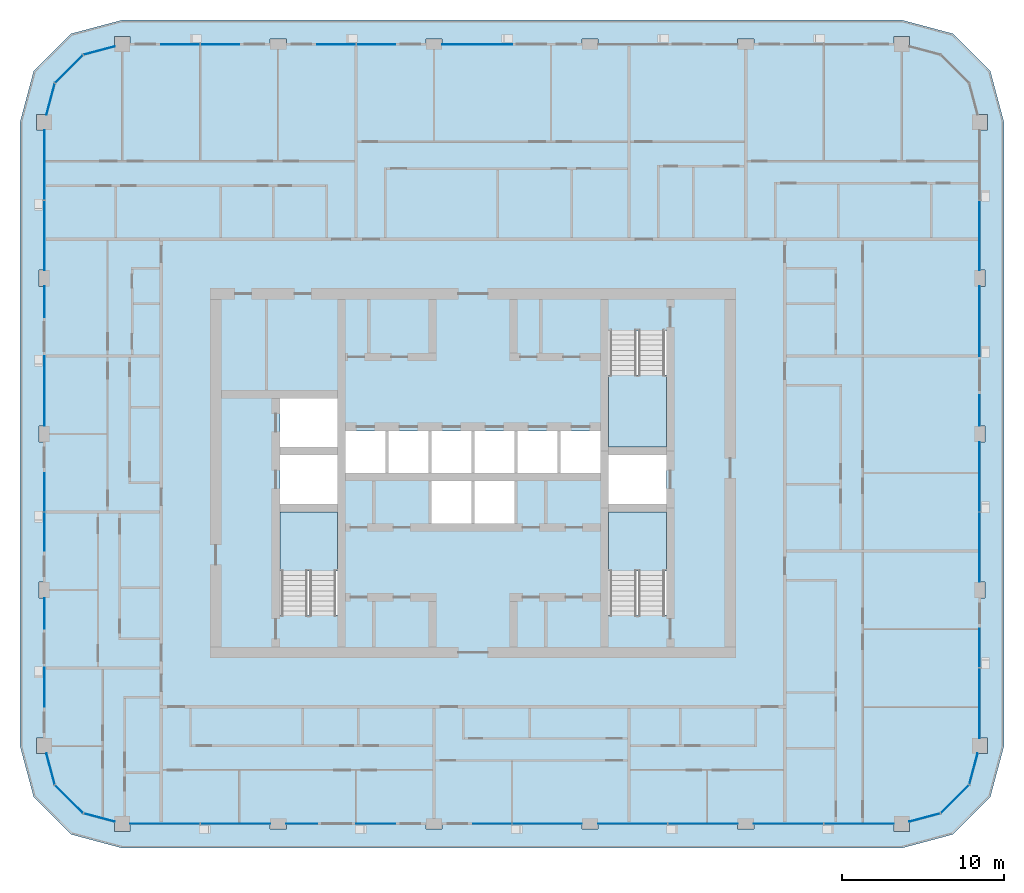
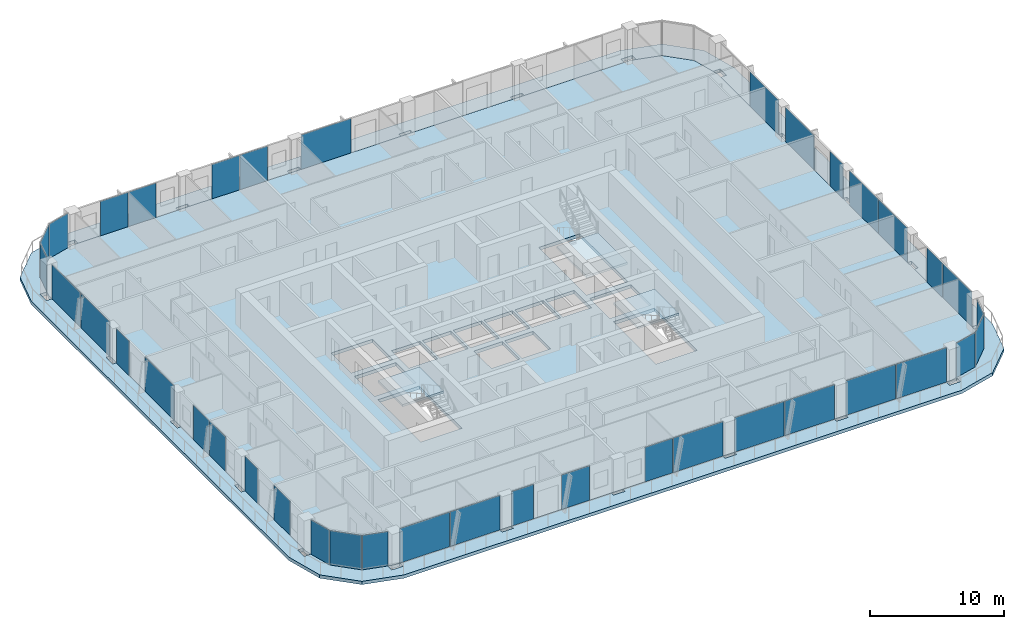
# One storey, part 7 of 23: 39 plates, 5 slabs, 22 elements without a shape of their own.
"""IFC4 building model written with IfcOpenShell, lengths in metres."""

from ifc_helpers import new_model, si_unit, direction, frame, origin, origin_2d, place, context, subcontext, project, spatial, polyline, rectangle, outline, extrude, material, layer, layer_set, type_object, element, aggregate, save


model = new_model("IFC4")

# Units and contexts
model_context = context("Model", 3, precision=1e-05, world=origin(), true_north=direction((0.0, 1.0)))
body_context = subcontext(model_context, "Body", "Model", "MODEL_VIEW")
ifc_project = project(units=[si_unit("LENGTHUNIT", "METRE"), si_unit("AREAUNIT", "SQUARE_METRE"), si_unit("VOLUMEUNIT", "CUBIC_METRE"), si_unit("PLANEANGLEUNIT", "RADIAN"), si_unit("MASSUNIT", "GRAM", prefix="KILO")], contexts=[model_context])

# Site, building, storey
site_placement = place(None, origin())
site = spatial("IfcSite", under=ifc_project, at=site_placement, CompositionType="ELEMENT")
building_placement = place(site_placement, origin())
building = spatial("IfcBuilding", under=site, at=building_placement, Name="Madar Terraces", CompositionType="ELEMENT")
storey_placement = place(building_placement, frame((0.0, 0.0, 212.300048828125)))
storey = spatial("IfcBuildingStorey", under=building, at=storey_placement, Name="L55", CompositionType="ELEMENT", Elevation=212.300048828125)

# Slabs
ifc_material_1 = material(Name="Concrete C50/60", Category="concrete")
ifc_layer_1 = layer(ifc_material_1, 0.300048828125)
ifc_layer_set_1 = layer_set([ifc_layer_1], Name="Balcony band 300")
slab_type_1 = type_object("IfcSlabType", Name="Balcony band 300", PredefinedType="FLOOR", material=ifc_layer_set_1)
slab_1_placement = place(storey_placement, frame((0.0, 0.0, -0.300048828125)))
element("IfcSlab", 1, at=slab_1_placement, inside=storey, type_object=slab_type_1, Name="Balcony band", PredefinedType="FLOOR", context=body_context, shape_type="SweptSolid", body=[
    extrude(outline(polyline([(9.60009765625, 3.300048828125), (6.449951171875, 4.14404296875), (4.14404296875, 6.449951171875), (3.300048828125, 9.60009765625), (3.300048828125, 48.0), (4.14404296875, 51.14990234375), (6.449951171875, 53.4560546875), (9.60009765625, 54.300048828125), (57.60009765625, 54.300048828125), (60.75, 53.4560546875), (63.055908203125, 51.14990234375), (63.89990234375, 48.0), (63.89990234375, 9.60009765625), (63.055908203125, 6.449951171875), (60.75, 4.14404296875), (57.60009765625, 3.300048828125), (9.60009765625, 3.300048828125)]), holes=[polyline([(10.074951171875, 4.324951171875), (10.074951171875, 4.800048828125), (18.699951171875, 4.800048828125), (18.699951171875, 4.47509765625), (19.699951171875, 4.47509765625), (19.699951171875, 4.800048828125), (28.300048828125, 4.800048828125), (28.300048828125, 4.47509765625), (29.300048828125, 4.47509765625), (29.300048828125, 4.800048828125), (37.89990234375, 4.800048828125), (37.89990234375, 4.47509765625), (38.89990234375, 4.47509765625), (38.89990234375, 4.800048828125), (47.5, 4.800048828125), (47.5, 4.47509765625), (48.5, 4.47509765625), (48.5, 4.800048828125), (57.125, 4.800048828125), (57.125, 4.324951171875), (58.074951171875, 4.324951171875), (58.074951171875, 4.92724609375), (60.0, 5.443115234375), (61.7568359375, 7.199951171875), (62.272705078125, 9.125), (62.875, 9.125), (62.875, 10.074951171875), (62.39990234375, 10.074951171875), (62.39990234375, 18.699951171875), (62.72509765625, 18.699951171875), (62.72509765625, 19.699951171875), (62.39990234375, 19.699951171875), (62.39990234375, 28.300048828125), (62.72509765625, 28.300048828125), (62.72509765625, 29.300048828125), (62.39990234375, 29.300048828125), (62.39990234375, 37.89990234375), (62.72509765625, 37.89990234375), (62.72509765625, 38.89990234375), (62.39990234375, 38.89990234375), (62.39990234375, 47.52490234375), (62.875, 47.52490234375), (62.875, 48.47509765625), (62.272705078125, 48.47509765625), (61.7568359375, 50.39990234375), (60.0, 52.156982421875), (58.074951171875, 52.672607421875), (58.074951171875, 53.27490234375), (57.125, 53.27490234375), (57.125, 52.800048828125), (48.5, 52.800048828125), (48.5, 53.125), (47.5, 53.125), (47.5, 52.800048828125), (38.89990234375, 52.800048828125), (38.89990234375, 53.125), (37.89990234375, 53.125), (37.89990234375, 52.800048828125), (29.300048828125, 52.800048828125), (29.300048828125, 53.125), (28.300048828125, 53.125), (28.300048828125, 52.800048828125), (19.699951171875, 52.800048828125), (19.699951171875, 53.125), (18.699951171875, 53.125), (18.699951171875, 52.800048828125), (10.074951171875, 52.800048828125), (10.074951171875, 53.27490234375), (9.125, 53.27490234375), (9.125, 52.672607421875), (7.199951171875, 52.156982421875), (5.443115234375, 50.39990234375), (4.92724609375, 48.47509765625), (4.324951171875, 48.47509765625), (4.324951171875, 47.52490234375), (4.800048828125, 47.52490234375), (4.800048828125, 38.89990234375), (4.47509765625, 38.89990234375), (4.47509765625, 37.89990234375), (4.800048828125, 37.89990234375), (4.800048828125, 29.300048828125), (4.47509765625, 29.300048828125), (4.47509765625, 28.300048828125), (4.800048828125, 28.300048828125), (4.800048828125, 19.699951171875), (4.47509765625, 19.699951171875), (4.47509765625, 18.699951171875), (4.800048828125, 18.699951171875), (4.800048828125, 10.074951171875), (4.324951171875, 10.074951171875), (4.324951171875, 9.125), (4.92724609375, 9.125), (5.443115234375, 7.199951171875), (7.199951171875, 5.443115234375), (9.125, 4.92724609375), (9.125, 4.324951171875), (10.074951171875, 4.324951171875)])]), origin(), (0.0, 0.0, 1.0), 0.300048828125),
])
ifc_material_2 = material(Name="Concrete C50/60", Category="concrete")
ifc_layer_2 = layer(ifc_material_2, 0.300048828125)
ifc_layer_set_2 = layer_set([ifc_layer_2], Name="FS2 PT flat slab 300")
slab_type_2 = type_object("IfcSlabType", Name="FS2 PT flat slab 300", PredefinedType="FLOOR", material=ifc_layer_set_2)
slab_2_placement = place(storey_placement, frame((0.0, 0.0, -0.300048828125)))
element("IfcSlab", 2, at=slab_2_placement, inside=storey, type_object=slab_type_2, Name="Floor slab L55 (1)", PredefinedType="FLOOR", context=body_context, shape_type="SweptSolid", body=[
    extrude(outline(polyline([(57.60009765625, 4.800048828125), (60.0, 5.443115234375), (61.7568359375, 7.199951171875), (62.39990234375, 9.60009765625), (62.39990234375, 48.0), (61.7568359375, 50.39990234375), (60.0, 52.156982421875), (57.60009765625, 52.800048828125), (9.60009765625, 52.800048828125), (7.199951171875, 52.156982421875), (5.443115234375, 50.39990234375), (4.800048828125, 48.0), (4.800048828125, 9.60009765625), (5.443115234375, 7.199951171875), (7.199951171875, 5.443115234375), (9.60009765625, 4.800048828125), (57.60009765625, 4.800048828125)]), holes=[polyline([(22.85009765625, 17.64990234375), (19.300048828125, 17.64990234375), (19.300048828125, 24.0), (22.85009765625, 24.0), (22.85009765625, 17.64990234375)]), polyline([(28.64990234375, 23.300048828125), (28.64990234375, 25.89990234375), (31.10009765625, 25.89990234375), (31.10009765625, 23.300048828125), (28.64990234375, 23.300048828125)]), polyline([(19.300048828125, 24.5), (19.300048828125, 27.5), (22.85009765625, 27.5), (22.85009765625, 24.5), (19.300048828125, 24.5)]), polyline([(23.35009765625, 26.39990234375), (23.35009765625, 29.0), (25.800048828125, 29.0), (25.800048828125, 26.39990234375), (23.35009765625, 26.39990234375)]), polyline([(26.0, 26.39990234375), (26.0, 29.0), (28.449951171875, 29.0), (28.449951171875, 26.39990234375), (26.0, 26.39990234375)]), polyline([(28.64990234375, 26.39990234375), (28.64990234375, 29.0), (31.10009765625, 29.0), (31.10009765625, 26.39990234375), (28.64990234375, 26.39990234375)]), polyline([(19.300048828125, 28.0), (19.300048828125, 31.0), (22.85009765625, 31.0), (22.85009765625, 28.0), (19.300048828125, 28.0)]), polyline([(43.10009765625, 17.64990234375), (39.550048828125, 17.64990234375), (39.550048828125, 24.0), (43.10009765625, 24.0), (43.10009765625, 17.64990234375)]), polyline([(31.300048828125, 23.300048828125), (31.300048828125, 25.89990234375), (33.75, 25.89990234375), (33.75, 23.300048828125), (31.300048828125, 23.300048828125)]), polyline([(39.550048828125, 24.5), (39.550048828125, 27.5), (43.10009765625, 27.5), (43.10009765625, 24.5), (39.550048828125, 24.5)]), polyline([(31.300048828125, 26.39990234375), (31.300048828125, 29.0), (33.75, 29.0), (33.75, 26.39990234375), (31.300048828125, 26.39990234375)]), polyline([(33.949951171875, 26.39990234375), (33.949951171875, 29.0), (36.39990234375, 29.0), (36.39990234375, 26.39990234375), (33.949951171875, 26.39990234375)]), polyline([(36.60009765625, 26.39990234375), (36.60009765625, 29.0), (39.050048828125, 29.0), (39.050048828125, 26.39990234375), (36.60009765625, 26.39990234375)]), polyline([(39.550048828125, 28.0), (39.550048828125, 35.14990234375), (43.10009765625, 35.14990234375), (43.10009765625, 28.0), (39.550048828125, 28.0)])]), origin(), (0.0, 0.0, 1.0), 0.300048828125),
])

# Curtain wall, plates
ifc_material_3 = material(Name="Glass, ceramic frit dark grey, with black aluminium frame", Category="aluminium")
ifc_layer_3 = layer(ifc_material_3, 0.199951171875)
ifc_layer_set_3 = layer_set([ifc_layer_3], Name="Facade curtain wall, fritted glass")
curtain_wall_type = type_object("IfcCurtainWallType", Name="Facade curtain wall, fritted glass", PredefinedType="NOTDEFINED", material=ifc_layer_set_3)
curtain_wall_1_placement = place(storey_placement, origin())
curtain_wall_1 = element("IfcCurtainWall", 3, at=curtain_wall_1_placement, inside=storey, type_object=curtain_wall_type, Name="Outer skin curtain wall south bay 1", PredefinedType="NOTDEFINED")
ifc_material_4 = material(Name="Glass, ceramic frit dark grey", Category="glass")
ifc_layer_4 = layer(ifc_material_4, 0.028076171875)
ifc_layer_set_4 = layer_set([ifc_layer_4], Name="Facade glass panel 28")
plate_type = type_object("IfcPlateType", Name="Facade glass panel 28", PredefinedType="CURTAIN_PANEL", material=ifc_layer_set_4)
plate_1_placement = place(storey_placement, frame((12.222412109375, 4.800048828125, 0.0), z_axis=(0.0, 0.0, 1.0), x_axis=(1.0, 0.0, 0.0)))
plate_1 = element("IfcPlate", 4, at=plate_1_placement, type_object=plate_type, Name="Panel 1", PredefinedType="CURTAIN_PANEL", context=body_context, shape_type="SweptSolid", body=[
    extrude(rectangle(XDim=4.294921875, YDim=0.028076171875, at=origin_2d()), origin(), (0.0, 0.0, 1.0), 3.139892578125),
])
plate_2_placement = place(storey_placement, frame((16.56494140625, 4.800048828125, 0.0), z_axis=(0.0, 0.0, 1.0), x_axis=(1.0, 0.0, 0.0)))
plate_2 = element("IfcPlate", 5, at=plate_2_placement, type_object=plate_type, Name="Panel 2", PredefinedType="CURTAIN_PANEL", context=body_context, shape_type="SweptSolid", body=[
    extrude(rectangle(XDim=4.27001953125, YDim=0.028076171875, at=origin_2d()), origin(), (0.0, 0.0, 1.0), 3.139892578125),
])
aggregate(curtain_wall_1, [plate_1, plate_2])

curtain_wall_2_placement = place(storey_placement, origin())
curtain_wall_2 = element("IfcCurtainWall", 6, at=curtain_wall_2_placement, inside=storey, type_object=curtain_wall_type, Name="Outer skin curtain wall south bay 2", PredefinedType="NOTDEFINED")
plate_3_placement = place(storey_placement, frame((20.64990234375, 4.800048828125, 0.0), z_axis=(0.0, 0.0, 1.0), x_axis=(1.0, 0.0, 0.0)))
plate_3 = element("IfcPlate", 7, at=plate_3_placement, type_object=plate_type, Name="Panel 1", PredefinedType="CURTAIN_PANEL", context=body_context, shape_type="SweptSolid", body=[
    extrude(rectangle(XDim=1.89990234375, YDim=0.028076171875, at=origin_2d()), origin(), (0.0, 0.0, 1.0), 3.139892578125),
])
plate_4_placement = place(storey_placement, frame((25.199951171875, 4.800048828125, 0.0), z_axis=(0.0, 0.0, 1.0), x_axis=(1.0, 0.0, 0.0)))
plate_4 = element("IfcPlate", 8, at=plate_4_placement, type_object=plate_type, Name="Panel 2", PredefinedType="CURTAIN_PANEL", context=body_context, shape_type="SweptSolid", body=[
    extrude(rectangle(XDim=2.39990234375, YDim=0.028076171875, at=origin_2d()), origin(), (0.0, 0.0, 1.0), 3.139892578125),
])
aggregate(curtain_wall_2, [plate_3, plate_4])

curtain_wall_3_placement = place(storey_placement, origin())
curtain_wall_3 = element("IfcCurtainWall", 9, at=curtain_wall_3_placement, inside=storey, type_object=curtain_wall_type, Name="Outer skin curtain wall south bay 3", PredefinedType="NOTDEFINED")
plate_5_placement = place(storey_placement, frame((32.385009765625, 4.800048828125, 0.0), z_axis=(0.0, 0.0, 1.0), x_axis=(1.0, 0.0, 0.0)))
plate_5 = element("IfcPlate", 10, at=plate_5_placement, type_object=plate_type, Name="Panel 1", PredefinedType="CURTAIN_PANEL", context=body_context, shape_type="SweptSolid", body=[
    extrude(rectangle(XDim=2.3701171875, YDim=0.028076171875, at=origin_2d()), origin(), (0.0, 0.0, 1.0), 3.139892578125),
])
plate_6_placement = place(storey_placement, frame((35.764892578125, 4.800048828125, 0.0), z_axis=(0.0, 0.0, 1.0), x_axis=(1.0, 0.0, 0.0)))
plate_6 = element("IfcPlate", 11, at=plate_6_placement, type_object=plate_type, Name="Panel 2", PredefinedType="CURTAIN_PANEL", context=body_context, shape_type="SweptSolid", body=[
    extrude(rectangle(XDim=4.27001953125, YDim=0.028076171875, at=origin_2d()), origin(), (0.0, 0.0, 1.0), 3.139892578125),
])
aggregate(curtain_wall_3, [plate_5, plate_6])

curtain_wall_4_placement = place(storey_placement, origin())
curtain_wall_4 = element("IfcCurtainWall", 12, at=curtain_wall_4_placement, inside=storey, type_object=curtain_wall_type, Name="Outer skin curtain wall south bay 4", PredefinedType="NOTDEFINED")
plate_7_placement = place(storey_placement, frame((41.034912109375, 4.800048828125, 0.0), z_axis=(0.0, 0.0, 1.0), x_axis=(1.0, 0.0, 0.0)))
plate_7 = element("IfcPlate", 13, at=plate_7_placement, type_object=plate_type, Name="Panel 1", PredefinedType="CURTAIN_PANEL", context=body_context, shape_type="SweptSolid", body=[
    extrude(rectangle(XDim=4.27001953125, YDim=0.028076171875, at=origin_2d()), origin(), (0.0, 0.0, 1.0), 3.139892578125),
])
plate_8_placement = place(storey_placement, frame((45.364990234375, 4.800048828125, 0.0), z_axis=(0.0, 0.0, 1.0), x_axis=(1.0, 0.0, 0.0)))
plate_8 = element("IfcPlate", 14, at=plate_8_placement, type_object=plate_type, Name="Panel 2", PredefinedType="CURTAIN_PANEL", context=body_context, shape_type="SweptSolid", body=[
    extrude(rectangle(XDim=4.27001953125, YDim=0.028076171875, at=origin_2d()), origin(), (0.0, 0.0, 1.0), 3.139892578125),
])
aggregate(curtain_wall_4, [plate_7, plate_8])

curtain_wall_5_placement = place(storey_placement, origin())
curtain_wall_5 = element("IfcCurtainWall", 15, at=curtain_wall_5_placement, inside=storey, type_object=curtain_wall_type, Name="Outer skin curtain wall south bay 5", PredefinedType="NOTDEFINED")
plate_9_placement = place(storey_placement, frame((50.635009765625, 4.800048828125, 0.0), z_axis=(0.0, 0.0, 1.0), x_axis=(1.0, 0.0, 0.0)))
plate_9 = element("IfcPlate", 16, at=plate_9_placement, type_object=plate_type, Name="Panel 1", PredefinedType="CURTAIN_PANEL", context=body_context, shape_type="SweptSolid", body=[
    extrude(rectangle(XDim=4.27001953125, YDim=0.028076171875, at=origin_2d()), origin(), (0.0, 0.0, 1.0), 3.139892578125),
])
plate_10_placement = place(storey_placement, frame((54.9775390625, 4.800048828125, 0.0), z_axis=(0.0, 0.0, 1.0), x_axis=(1.0, 0.0, 0.0)))
plate_10 = element("IfcPlate", 17, at=plate_10_placement, type_object=plate_type, Name="Panel 2", PredefinedType="CURTAIN_PANEL", context=body_context, shape_type="SweptSolid", body=[
    extrude(rectangle(XDim=4.294921875, YDim=0.028076171875, at=origin_2d()), origin(), (0.0, 0.0, 1.0), 3.139892578125),
])
aggregate(curtain_wall_5, [plate_9, plate_10])

curtain_wall_6_placement = place(storey_placement, origin())
curtain_wall_6 = element("IfcCurtainWall", 18, at=curtain_wall_6_placement, inside=storey, type_object=curtain_wall_type, Name="Outer skin curtain wall east bay 1", PredefinedType="NOTDEFINED")
plate_11_placement = place(storey_placement, frame((62.39990234375, 12.222412109375, 0.0), z_axis=(0.0, 0.0, 1.0), x_axis=(0.0, 1.0, 0.0)))
plate_11 = element("IfcPlate", 19, at=plate_11_placement, type_object=plate_type, Name="Panel 1", PredefinedType="CURTAIN_PANEL", context=body_context, shape_type="SweptSolid", body=[
    extrude(rectangle(XDim=4.294921875, YDim=0.028076171875, at=origin_2d()), origin(), (0.0, 0.0, 1.0), 3.139892578125),
])
plate_12_placement = place(storey_placement, frame((62.39990234375, 15.614990234375, 0.0), z_axis=(0.0, 0.0, 1.0), x_axis=(0.0, 1.0, 0.0)))
plate_12 = element("IfcPlate", 20, at=plate_12_placement, type_object=plate_type, Name="Panel 2", PredefinedType="CURTAIN_PANEL", context=body_context, shape_type="SweptSolid", body=[
    extrude(rectangle(XDim=2.3701171875, YDim=0.028076171875, at=origin_2d()), origin(), (0.0, 0.0, 1.0), 3.139892578125),
])
aggregate(curtain_wall_6, [plate_11, plate_12])

curtain_wall_7_placement = place(storey_placement, origin())
curtain_wall_7 = element("IfcCurtainWall", 21, at=curtain_wall_7_placement, inside=storey, type_object=curtain_wall_type, Name="Outer skin curtain wall east bay 2", PredefinedType="NOTDEFINED")
plate_13_placement = place(storey_placement, frame((62.39990234375, 21.8349609375, 0.0), z_axis=(0.0, 0.0, 1.0), x_axis=(0.0, 1.0, 0.0)))
plate_13 = element("IfcPlate", 22, at=plate_13_placement, type_object=plate_type, Name="Panel 1", PredefinedType="CURTAIN_PANEL", context=body_context, shape_type="SweptSolid", body=[
    extrude(rectangle(XDim=4.27001953125, YDim=0.028076171875, at=origin_2d()), origin(), (0.0, 0.0, 1.0), 3.139892578125),
])
plate_14_placement = place(storey_placement, frame((62.39990234375, 26.1650390625, 0.0), z_axis=(0.0, 0.0, 1.0), x_axis=(0.0, 1.0, 0.0)))
plate_14 = element("IfcPlate", 23, at=plate_14_placement, type_object=plate_type, Name="Panel 2", PredefinedType="CURTAIN_PANEL", context=body_context, shape_type="SweptSolid", body=[
    extrude(rectangle(XDim=4.27001953125, YDim=0.028076171875, at=origin_2d()), origin(), (0.0, 0.0, 1.0), 3.139892578125),
])
aggregate(curtain_wall_7, [plate_13, plate_14])

curtain_wall_8_placement = place(storey_placement, origin())
curtain_wall_8 = element("IfcCurtainWall", 24, at=curtain_wall_8_placement, inside=storey, type_object=curtain_wall_type, Name="Outer skin curtain wall east bay 3", PredefinedType="NOTDEFINED")
plate_15_placement = place(storey_placement, frame((62.39990234375, 30.25, 0.0), z_axis=(0.0, 0.0, 1.0), x_axis=(0.0, 1.0, 0.0)))
plate_15 = element("IfcPlate", 25, at=plate_15_placement, type_object=plate_type, Name="Panel 1", PredefinedType="CURTAIN_PANEL", context=body_context, shape_type="SweptSolid", body=[
    extrude(rectangle(XDim=1.89990234375, YDim=0.028076171875, at=origin_2d()), origin(), (0.0, 0.0, 1.0), 3.139892578125),
])
plate_16_placement = place(storey_placement, frame((62.39990234375, 35.75, 0.0), z_axis=(0.0, 0.0, 1.0), x_axis=(0.0, 1.0, 0.0)))
plate_16 = element("IfcPlate", 26, at=plate_16_placement, type_object=plate_type, Name="Panel 2", PredefinedType="CURTAIN_PANEL", context=body_context, shape_type="SweptSolid", body=[
    extrude(rectangle(XDim=4.300048828125, YDim=0.028076171875, at=origin_2d()), origin(), (0.0, 0.0, 1.0), 3.139892578125),
])
aggregate(curtain_wall_8, [plate_15, plate_16])

# Curtain wall, plate
curtain_wall_9_placement = place(storey_placement, origin())
curtain_wall_9 = element("IfcCurtainWall", 27, at=curtain_wall_9_placement, inside=storey, type_object=curtain_wall_type, Name="Outer skin curtain wall east bay 4", PredefinedType="NOTDEFINED")
plate_17_placement = place(storey_placement, frame((62.39990234375, 41.034912109375, 0.0), z_axis=(0.0, 0.0, 1.0), x_axis=(0.0, 1.0, 0.0)))
plate_17 = element("IfcPlate", 28, at=plate_17_placement, type_object=plate_type, Name="Panel 1", PredefinedType="CURTAIN_PANEL", context=body_context, shape_type="SweptSolid", body=[
    extrude(rectangle(XDim=4.27001953125, YDim=0.028076171875, at=origin_2d()), origin(), (0.0, 0.0, 1.0), 3.139892578125),
])
aggregate(curtain_wall_9, [plate_17])

curtain_wall_10_placement = place(storey_placement, origin())
curtain_wall_10 = element("IfcCurtainWall", 29, at=curtain_wall_10_placement, inside=storey, type_object=curtain_wall_type, Name="Outer skin curtain wall north bay 3", PredefinedType="NOTDEFINED")
plate_18_placement = place(storey_placement, frame((31.449951171875, 52.800048828125, 0.0), z_axis=(0.0, 0.0, 1.0), x_axis=(-1.0, 0.0, 0.0)))
plate_18 = element("IfcPlate", 30, at=plate_18_placement, type_object=plate_type, Name="Panel 1", PredefinedType="CURTAIN_PANEL", context=body_context, shape_type="SweptSolid", body=[
    extrude(rectangle(XDim=4.300048828125, YDim=0.028076171875, at=origin_2d()), origin(), (0.0, 0.0, 1.0), 3.139892578125),
])
aggregate(curtain_wall_10, [plate_18])

# Curtain wall, plates
curtain_wall_11_placement = place(storey_placement, origin())
curtain_wall_11 = element("IfcCurtainWall", 31, at=curtain_wall_11_placement, inside=storey, type_object=curtain_wall_type, Name="Outer skin curtain wall north bay 4", PredefinedType="NOTDEFINED")
plate_19_placement = place(storey_placement, frame((25.215087890625, 52.800048828125, 0.0), z_axis=(0.0, 0.0, 1.0), x_axis=(-1.0, 0.0, 0.0)))
plate_19 = element("IfcPlate", 32, at=plate_19_placement, type_object=plate_type, Name="Panel 1", PredefinedType="CURTAIN_PANEL", context=body_context, shape_type="SweptSolid", body=[
    extrude(rectangle(XDim=2.3701171875, YDim=0.028076171875, at=origin_2d()), origin(), (0.0, 0.0, 1.0), 3.139892578125),
])
plate_20_placement = place(storey_placement, frame((22.784912109375, 52.800048828125, 0.0), z_axis=(0.0, 0.0, 1.0), x_axis=(-1.0, 0.0, 0.0)))
plate_20 = element("IfcPlate", 33, at=plate_20_placement, type_object=plate_type, Name="Panel 2", PredefinedType="CURTAIN_PANEL", context=body_context, shape_type="SweptSolid", body=[
    extrude(rectangle(XDim=2.3701171875, YDim=0.028076171875, at=origin_2d()), origin(), (0.0, 0.0, 1.0), 3.139892578125),
])
aggregate(curtain_wall_11, [plate_19, plate_20])

curtain_wall_12_placement = place(storey_placement, origin())
curtain_wall_12 = element("IfcCurtainWall", 34, at=curtain_wall_12_placement, inside=storey, type_object=curtain_wall_type, Name="Outer skin curtain wall north bay 5", PredefinedType="NOTDEFINED")
plate_21_placement = place(storey_placement, frame((15.614990234375, 52.800048828125, 0.0), z_axis=(0.0, 0.0, 1.0), x_axis=(-1.0, 0.0, 0.0)))
plate_21 = element("IfcPlate", 35, at=plate_21_placement, type_object=plate_type, Name="Panel 1", PredefinedType="CURTAIN_PANEL", context=body_context, shape_type="SweptSolid", body=[
    extrude(rectangle(XDim=2.3701171875, YDim=0.028076171875, at=origin_2d()), origin(), (0.0, 0.0, 1.0), 3.139892578125),
])
plate_22_placement = place(storey_placement, frame((13.18505859375, 52.800048828125, 0.0), z_axis=(0.0, 0.0, 1.0), x_axis=(-1.0, 0.0, 0.0)))
plate_22 = element("IfcPlate", 36, at=plate_22_placement, type_object=plate_type, Name="Panel 2", PredefinedType="CURTAIN_PANEL", context=body_context, shape_type="SweptSolid", body=[
    extrude(rectangle(XDim=2.3701171875, YDim=0.028076171875, at=origin_2d()), origin(), (0.0, 0.0, 1.0), 3.139892578125),
])
aggregate(curtain_wall_12, [plate_21, plate_22])

curtain_wall_13_placement = place(storey_placement, origin())
curtain_wall_13 = element("IfcCurtainWall", 37, at=curtain_wall_13_placement, inside=storey, type_object=curtain_wall_type, Name="Outer skin curtain wall west bay 1", PredefinedType="NOTDEFINED")
plate_23_placement = place(storey_placement, frame((4.800048828125, 45.37744140625, 0.0), z_axis=(0.0, 0.0, 1.0), x_axis=(0.0, -1.0, 0.0)))
plate_23 = element("IfcPlate", 38, at=plate_23_placement, type_object=plate_type, Name="Panel 1", PredefinedType="CURTAIN_PANEL", context=body_context, shape_type="SweptSolid", body=[
    extrude(rectangle(XDim=4.294921875, YDim=0.028076171875, at=origin_2d()), origin(), (0.0, 0.0, 1.0), 3.139892578125),
])
plate_24_placement = place(storey_placement, frame((4.800048828125, 41.034912109375, 0.0), z_axis=(0.0, 0.0, 1.0), x_axis=(0.0, -1.0, 0.0)))
plate_24 = element("IfcPlate", 39, at=plate_24_placement, type_object=plate_type, Name="Panel 2", PredefinedType="CURTAIN_PANEL", context=body_context, shape_type="SweptSolid", body=[
    extrude(rectangle(XDim=4.27001953125, YDim=0.028076171875, at=origin_2d()), origin(), (0.0, 0.0, 1.0), 3.139892578125),
])
aggregate(curtain_wall_13, [plate_23, plate_24])

curtain_wall_14_placement = place(storey_placement, origin())
curtain_wall_14 = element("IfcCurtainWall", 40, at=curtain_wall_14_placement, inside=storey, type_object=curtain_wall_type, Name="Outer skin curtain wall west bay 2", PredefinedType="NOTDEFINED")
plate_25_placement = place(storey_placement, frame((4.800048828125, 36.949951171875, 0.0), z_axis=(0.0, 0.0, 1.0), x_axis=(0.0, -1.0, 0.0)))
plate_25 = element("IfcPlate", 41, at=plate_25_placement, type_object=plate_type, Name="Panel 1", PredefinedType="CURTAIN_PANEL", context=body_context, shape_type="SweptSolid", body=[
    extrude(rectangle(XDim=1.89990234375, YDim=0.028076171875, at=origin_2d()), origin(), (0.0, 0.0, 1.0), 3.139892578125),
])
plate_26_placement = place(storey_placement, frame((4.800048828125, 31.449951171875, 0.0), z_axis=(0.0, 0.0, 1.0), x_axis=(0.0, -1.0, 0.0)))
plate_26 = element("IfcPlate", 42, at=plate_26_placement, type_object=plate_type, Name="Panel 2", PredefinedType="CURTAIN_PANEL", context=body_context, shape_type="SweptSolid", body=[
    extrude(rectangle(XDim=4.300048828125, YDim=0.028076171875, at=origin_2d()), origin(), (0.0, 0.0, 1.0), 3.139892578125),
])
aggregate(curtain_wall_14, [plate_25, plate_26])

curtain_wall_15_placement = place(storey_placement, origin())
curtain_wall_15 = element("IfcCurtainWall", 43, at=curtain_wall_15_placement, inside=storey, type_object=curtain_wall_type, Name="Outer skin curtain wall west bay 3", PredefinedType="NOTDEFINED")
plate_27_placement = place(storey_placement, frame((4.800048828125, 25.215087890625, 0.0), z_axis=(0.0, 0.0, 1.0), x_axis=(0.0, -1.0, 0.0)))
plate_27 = element("IfcPlate", 44, at=plate_27_placement, type_object=plate_type, Name="Panel 1", PredefinedType="CURTAIN_PANEL", context=body_context, shape_type="SweptSolid", body=[
    extrude(rectangle(XDim=2.3701171875, YDim=0.028076171875, at=origin_2d()), origin(), (0.0, 0.0, 1.0), 3.139892578125),
])
plate_28_placement = place(storey_placement, frame((4.800048828125, 22.784912109375, 0.0), z_axis=(0.0, 0.0, 1.0), x_axis=(0.0, -1.0, 0.0)))
plate_28 = element("IfcPlate", 45, at=plate_28_placement, type_object=plate_type, Name="Panel 2", PredefinedType="CURTAIN_PANEL", context=body_context, shape_type="SweptSolid", body=[
    extrude(rectangle(XDim=2.3701171875, YDim=0.028076171875, at=origin_2d()), origin(), (0.0, 0.0, 1.0), 3.139892578125),
])
aggregate(curtain_wall_15, [plate_27, plate_28])

curtain_wall_16_placement = place(storey_placement, origin())
curtain_wall_16 = element("IfcCurtainWall", 46, at=curtain_wall_16_placement, inside=storey, type_object=curtain_wall_type, Name="Outer skin curtain wall west bay 4", PredefinedType="NOTDEFINED")
plate_29_placement = place(storey_placement, frame((4.800048828125, 17.75, 0.0), z_axis=(0.0, 0.0, 1.0), x_axis=(0.0, -1.0, 0.0)))
plate_29 = element("IfcPlate", 47, at=plate_29_placement, type_object=plate_type, Name="Panel 1", PredefinedType="CURTAIN_PANEL", context=body_context, shape_type="SweptSolid", body=[
    extrude(rectangle(XDim=1.89990234375, YDim=0.028076171875, at=origin_2d()), origin(), (0.0, 0.0, 1.0), 3.139892578125),
])
plate_30_placement = place(storey_placement, frame((4.800048828125, 13.199951171875, 0.0), z_axis=(0.0, 0.0, 1.0), x_axis=(0.0, -1.0, 0.0)))
plate_30 = element("IfcPlate", 48, at=plate_30_placement, type_object=plate_type, Name="Panel 2", PredefinedType="CURTAIN_PANEL", context=body_context, shape_type="SweptSolid", body=[
    extrude(rectangle(XDim=2.39990234375, YDim=0.028076171875, at=origin_2d()), origin(), (0.0, 0.0, 1.0), 3.139892578125),
])
aggregate(curtain_wall_16, [plate_29, plate_30])

curtain_wall_17_placement = place(storey_placement, origin())
curtain_wall_17 = element("IfcCurtainWall", 49, at=curtain_wall_17_placement, inside=storey, type_object=curtain_wall_type, Name="Outer skin curtain wall south-east corner", PredefinedType="NOTDEFINED")
plate_31_placement = place(storey_placement, frame((59.02294921875, 5.181396484375, 0.0), z_axis=(0.0, 0.0, 1.0), x_axis=(0.965925832509, 0.258819021888, 0.0)))
plate_31 = element("IfcPlate", 50, at=plate_31_placement, type_object=plate_type, Name="Panel 1", PredefinedType="CURTAIN_PANEL", context=body_context, shape_type="SweptSolid", body=[
    extrude(rectangle(XDim=1.962890625, YDim=0.028076171875, at=origin_2d()), origin(), (0.0, 0.0, 1.0), 3.139892578125),
])
plate_32_placement = place(storey_placement, frame((60.87841796875, 6.321533203125, 0.0), z_axis=(0.0, 0.0, 1.0), x_axis=(0.707106781187, 0.707106781187, 0.0)))
plate_32 = element("IfcPlate", 51, at=plate_32_placement, type_object=plate_type, Name="Panel 2", PredefinedType="CURTAIN_PANEL", context=body_context, shape_type="SweptSolid", body=[
    extrude(rectangle(XDim=2.424560546875, YDim=0.028076171875, at=origin_2d()), origin(), (0.0, 0.0, 1.0), 3.139892578125),
])
plate_33_placement = place(storey_placement, frame((62.018798828125, 8.177001953125, 0.0), z_axis=(0.0, 0.0, 1.0), x_axis=(0.258819021888, 0.965925832509, 0.0)))
plate_33 = element("IfcPlate", 52, at=plate_33_placement, type_object=plate_type, Name="Panel 3", PredefinedType="CURTAIN_PANEL", context=body_context, shape_type="SweptSolid", body=[
    extrude(rectangle(XDim=1.962890625, YDim=0.028076171875, at=origin_2d()), origin(), (0.0, 0.0, 1.0), 3.139892578125),
])
aggregate(curtain_wall_17, [plate_31, plate_32, plate_33])

curtain_wall_18_placement = place(storey_placement, origin())
curtain_wall_18 = element("IfcCurtainWall", 53, at=curtain_wall_18_placement, inside=storey, type_object=curtain_wall_type, Name="Outer skin curtain wall north-west corner", PredefinedType="NOTDEFINED")
plate_34_placement = place(storey_placement, frame((8.177001953125, 52.418701171875, 0.0), z_axis=(0.0, 0.0, 1.0), x_axis=(-0.965925832509, -0.258819021888, 0.0)))
plate_34 = element("IfcPlate", 54, at=plate_34_placement, type_object=plate_type, Name="Panel 1", PredefinedType="CURTAIN_PANEL", context=body_context, shape_type="SweptSolid", body=[
    extrude(rectangle(XDim=1.962890625, YDim=0.028076171875, at=origin_2d()), origin(), (0.0, 0.0, 1.0), 3.139892578125),
])
plate_35_placement = place(storey_placement, frame((6.321533203125, 51.278564453125, 0.0), z_axis=(0.0, 0.0, 1.0), x_axis=(-0.707106781187, -0.707106781187, 0.0)))
plate_35 = element("IfcPlate", 55, at=plate_35_placement, type_object=plate_type, Name="Panel 2", PredefinedType="CURTAIN_PANEL", context=body_context, shape_type="SweptSolid", body=[
    extrude(rectangle(XDim=2.424560546875, YDim=0.028076171875, at=origin_2d()), origin(), (0.0, 0.0, 1.0), 3.139892578125),
])
plate_36_placement = place(storey_placement, frame((5.181396484375, 49.423095703125, 0.0), z_axis=(0.0, 0.0, 1.0), x_axis=(-0.258819021888, -0.965925832509, 0.0)))
plate_36 = element("IfcPlate", 56, at=plate_36_placement, type_object=plate_type, Name="Panel 3", PredefinedType="CURTAIN_PANEL", context=body_context, shape_type="SweptSolid", body=[
    extrude(rectangle(XDim=1.962890625, YDim=0.028076171875, at=origin_2d()), origin(), (0.0, 0.0, 1.0), 3.139892578125),
])
aggregate(curtain_wall_18, [plate_34, plate_35, plate_36])

curtain_wall_19_placement = place(storey_placement, origin())
curtain_wall_19 = element("IfcCurtainWall", 57, at=curtain_wall_19_placement, inside=storey, type_object=curtain_wall_type, Name="Outer skin curtain wall south-west corner", PredefinedType="NOTDEFINED")
plate_37_placement = place(storey_placement, frame((5.181396484375, 8.177001953125, 0.0), z_axis=(0.0, 0.0, 1.0), x_axis=(0.258819021888, -0.965925832509, 0.0)))
plate_37 = element("IfcPlate", 58, at=plate_37_placement, type_object=plate_type, Name="Panel 1", PredefinedType="CURTAIN_PANEL", context=body_context, shape_type="SweptSolid", body=[
    extrude(rectangle(XDim=1.962890625, YDim=0.028076171875, at=origin_2d()), origin(), (0.0, 0.0, 1.0), 3.139892578125),
])
plate_38_placement = place(storey_placement, frame((6.321533203125, 6.321533203125, 0.0), z_axis=(0.0, 0.0, 1.0), x_axis=(0.707106781187, -0.707106781187, 0.0)))
plate_38 = element("IfcPlate", 59, at=plate_38_placement, type_object=plate_type, Name="Panel 2", PredefinedType="CURTAIN_PANEL", context=body_context, shape_type="SweptSolid", body=[
    extrude(rectangle(XDim=2.424560546875, YDim=0.028076171875, at=origin_2d()), origin(), (0.0, 0.0, 1.0), 3.139892578125),
])
plate_39_placement = place(storey_placement, frame((8.177001953125, 5.181396484375, 0.0), z_axis=(0.0, 0.0, 1.0), x_axis=(0.965925832509, -0.258819021888, 0.0)))
plate_39 = element("IfcPlate", 60, at=plate_39_placement, type_object=plate_type, Name="Panel 3", PredefinedType="CURTAIN_PANEL", context=body_context, shape_type="SweptSolid", body=[
    extrude(rectangle(XDim=1.962890625, YDim=0.028076171875, at=origin_2d()), origin(), (0.0, 0.0, 1.0), 3.139892578125),
])
aggregate(curtain_wall_19, [plate_37, plate_38, plate_39])

# Stair, slab
ifc_material_5 = material(Name="Concrete C50/60", Category="concrete")
stair_type_1 = type_object("IfcStairType", Name="Stair ST1 protected exit", PredefinedType="HALF_TURN_STAIR", material=ifc_material_5)
stair_1_placement = place(storey_placement, origin())
stair_1 = element("IfcStair", 61, at=stair_1_placement, inside=storey, type_object=stair_type_1, Name="L55 Protected Exit Stair ST1", PredefinedType="HALF_TURN_STAIR")
ifc_material_6 = material(Name="Concrete C50/60", Category="concrete")
ifc_layer_5 = layer(ifc_material_6, 0.199951171875)
ifc_layer_set_5 = layer_set([ifc_layer_5], Name="Stair landing 200, top +1.75")
slab_type_3 = type_object("IfcSlabType", Name="Stair landing 200, top +1.75", PredefinedType="LANDING", material=ifc_layer_set_5)
slab_3_placement = place(storey_placement, frame((0.0, 0.0, 1.550048828125)))
slab_3 = element("IfcSlab", 62, at=slab_3_placement, type_object=slab_type_3, Name="ST1 landing 1", PredefinedType="LANDING", context=body_context, shape_type="SweptSolid", body=[
    extrude(outline(polyline([(19.300048828125, 20.360107421875), (22.85009765625, 20.360107421875), (22.85009765625, 24.0), (19.300048828125, 24.0), (19.300048828125, 20.360107421875)])), origin(), (0.0, 0.0, 1.0), 0.199951171875),
])
aggregate(stair_1, [slab_3])

ifc_material_7 = material(Name="Concrete C50/60", Category="concrete")
stair_type_2 = type_object("IfcStairType", Name="Stair ST2 protected exit", PredefinedType="HALF_TURN_STAIR", material=ifc_material_7)
stair_2_placement = place(storey_placement, origin())
stair_2 = element("IfcStair", 63, at=stair_2_placement, inside=storey, type_object=stair_type_2, Name="L55 Protected Exit Stair ST2", PredefinedType="HALF_TURN_STAIR")
slab_4_placement = place(storey_placement, frame((0.0, 0.0, 1.550048828125)))
slab_4 = element("IfcSlab", 64, at=slab_4_placement, type_object=slab_type_3, Name="ST2 landing 1", PredefinedType="LANDING", context=body_context, shape_type="SweptSolid", body=[
    extrude(outline(polyline([(39.550048828125, 28.0), (43.10009765625, 28.0), (43.10009765625, 32.43994140625), (39.550048828125, 32.43994140625), (39.550048828125, 28.0)])), origin(), (0.0, 0.0, 1.0), 0.199951171875),
])
aggregate(stair_2, [slab_4])

ifc_material_8 = material(Name="Concrete C50/60", Category="concrete")
stair_type_3 = type_object("IfcStairType", Name="Stair ST3 protected exit", PredefinedType="HALF_TURN_STAIR", material=ifc_material_8)
stair_3_placement = place(storey_placement, origin())
stair_3 = element("IfcStair", 65, at=stair_3_placement, inside=storey, type_object=stair_type_3, Name="L55 Protected Exit Stair ST3", PredefinedType="HALF_TURN_STAIR")
slab_5_placement = place(storey_placement, frame((0.0, 0.0, 1.550048828125)))
slab_5 = element("IfcSlab", 66, at=slab_5_placement, type_object=slab_type_3, Name="ST3 landing 1", PredefinedType="LANDING", context=body_context, shape_type="SweptSolid", body=[
    extrude(outline(polyline([(39.550048828125, 20.360107421875), (43.10009765625, 20.360107421875), (43.10009765625, 24.0), (39.550048828125, 24.0), (39.550048828125, 20.360107421875)])), origin(), (0.0, 0.0, 1.0), 0.199951171875),
])
aggregate(stair_3, [slab_5])

save(model, "model.ifc")
